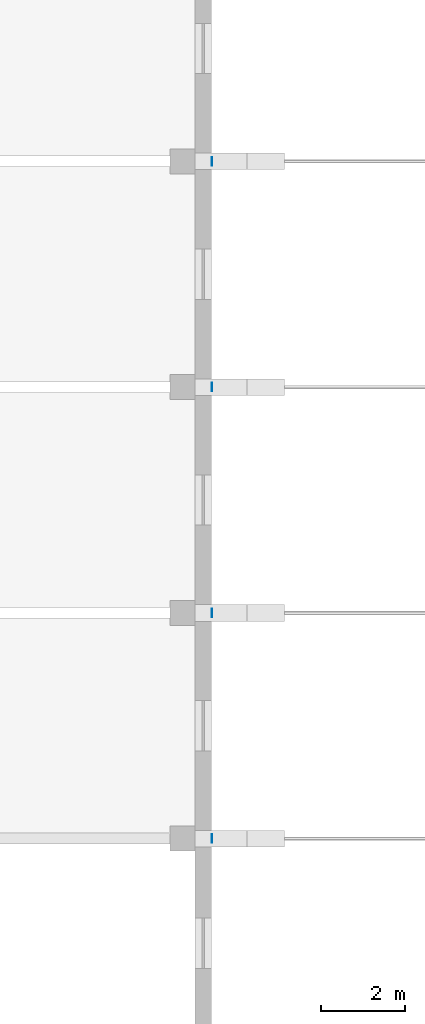
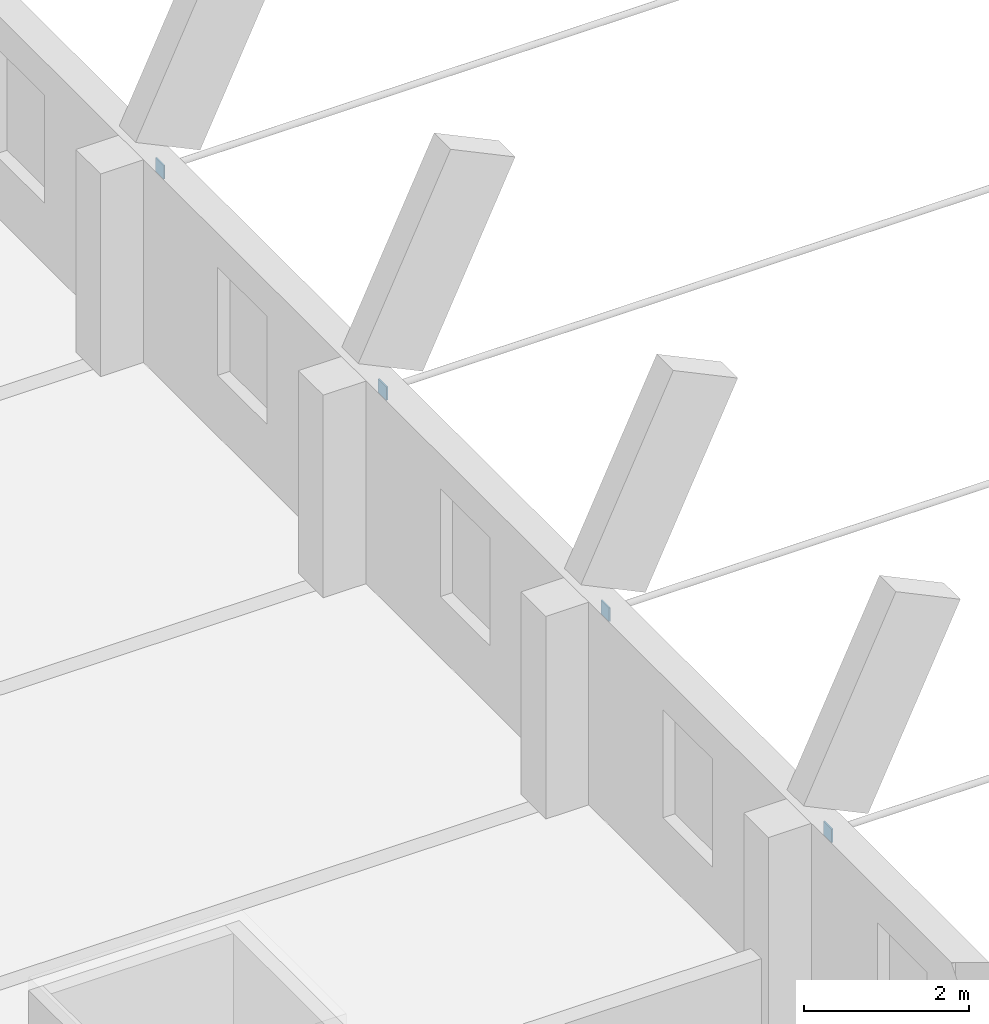
# One storey, part 79 of 115: 4 discrete accessories.
"""IFC4 building model written with IfcOpenShell, lengths in metres."""

from ifc_helpers import new_model, si_unit, direction, frame, origin, origin_2d, place, context, subcontext, project, spatial, rectangle, extrude, material, layer, layer_set, type_object, element, save


model = new_model("IFC4")

# Units and contexts
model_context = context("Model", 3, precision=1e-05, world=origin(), true_north=direction((0.0, 1.0)))
body_context = subcontext(model_context, "Body", "Model", "MODEL_VIEW")
ifc_project = project(units=[si_unit("LENGTHUNIT", "METRE"), si_unit("AREAUNIT", "SQUARE_METRE"), si_unit("VOLUMEUNIT", "CUBIC_METRE"), si_unit("PLANEANGLEUNIT", "RADIAN"), si_unit("MASSUNIT", "GRAM", prefix="KILO")], contexts=[model_context])

# Site, building, storey
site_placement = place(None, origin())
site = spatial("IfcSite", under=ifc_project, at=site_placement, CompositionType="ELEMENT")
building_placement = place(site_placement, origin())
building = spatial("IfcBuilding", under=site, at=building_placement, Name="Ridgestep Commons", CompositionType="ELEMENT")
storey_placement = place(building_placement, frame((0.0, 0.0, 6.0)))
storey = spatial("IfcBuildingStorey", under=building, at=storey_placement, Name="L02", CompositionType="ELEMENT", Elevation=6.0)

# Discrete accessories
ifc_material = material(Name="Structural steel S355JR", Category="steel")
ifc_layer = layer(ifc_material, 0.02001953125)
ifc_layer_set = layer_set([ifc_layer], Name="Hall tie rod end plate 200 x 200 x 20")
discrete_accessory_type = type_object("IfcDiscreteAccessoryType", Name="Hall tie rod end plate 200 x 200 x 20", PredefinedType="BRACKET", material=ifc_layer_set)
for number, where, z_axis, x_axis, name in (
    (1, (114.81005859375, 37.60009765625, 2.4501953125), (0.0, 0.0, 1.0), (1.0, 0.0, 0.0), "Hall tie rod end plate 1W"),
    (2, (114.81005859375, 43.0, 2.4501953125), (0.0, 0.0, 1.0), (1.0, 0.0, 0.0), "Hall tie rod end plate 2W"),
    (3, (114.81005859375, 48.39990234375, 2.4501953125), (0.0, 0.0, 1.0), (1.0, 0.0, 0.0), "Hall tie rod end plate 3W"),
    (4, (114.81005859375, 53.800048828125, 2.4501953125), (0.0, 0.0, 1.0), (1.0, 0.0, 0.0), "Hall tie rod end plate 4W"),
):
    element("IfcDiscreteAccessory", number, at=place(storey_placement, frame(where, z_axis=z_axis, x_axis=x_axis)), inside=storey, type_object=discrete_accessory_type, Name=name, PredefinedType="BRACKET", context=body_context, shape_type="SweptSolid", body=[
        extrude(rectangle(XDim=0.02001953125, YDim=0.199951171875, at=origin_2d()), origin(), (0.0, 0.0, 1.0), 0.199951171875),
    ])

save(model, "model.ifc")
